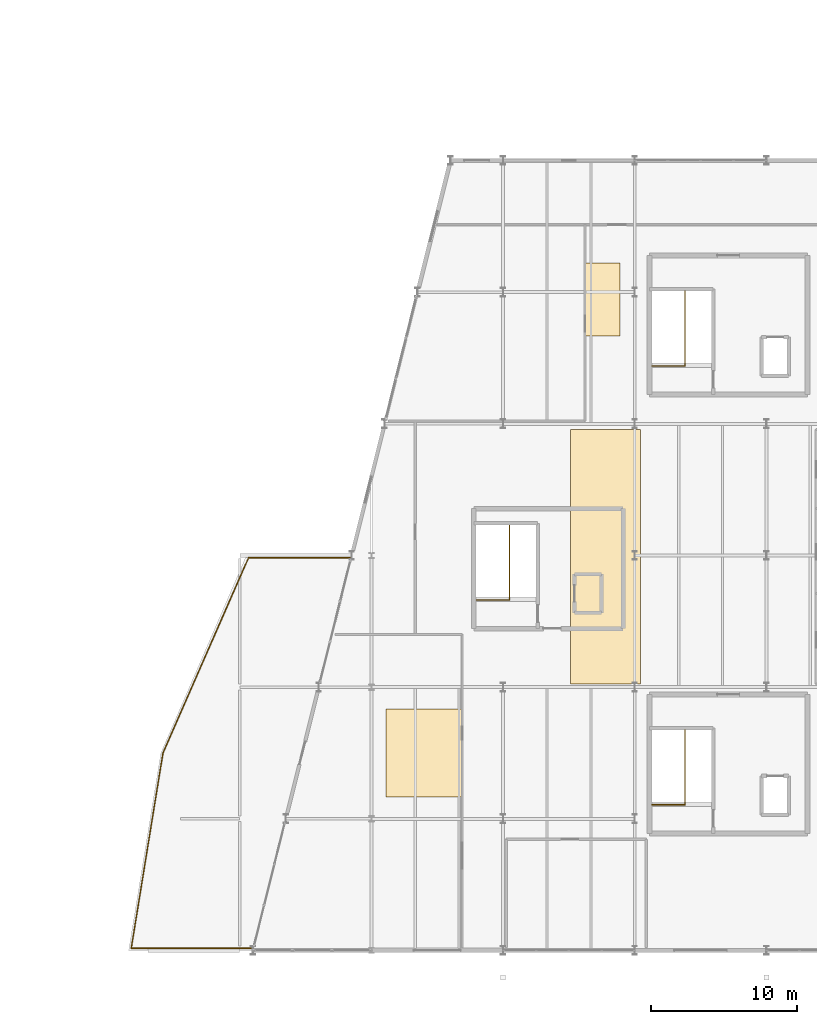
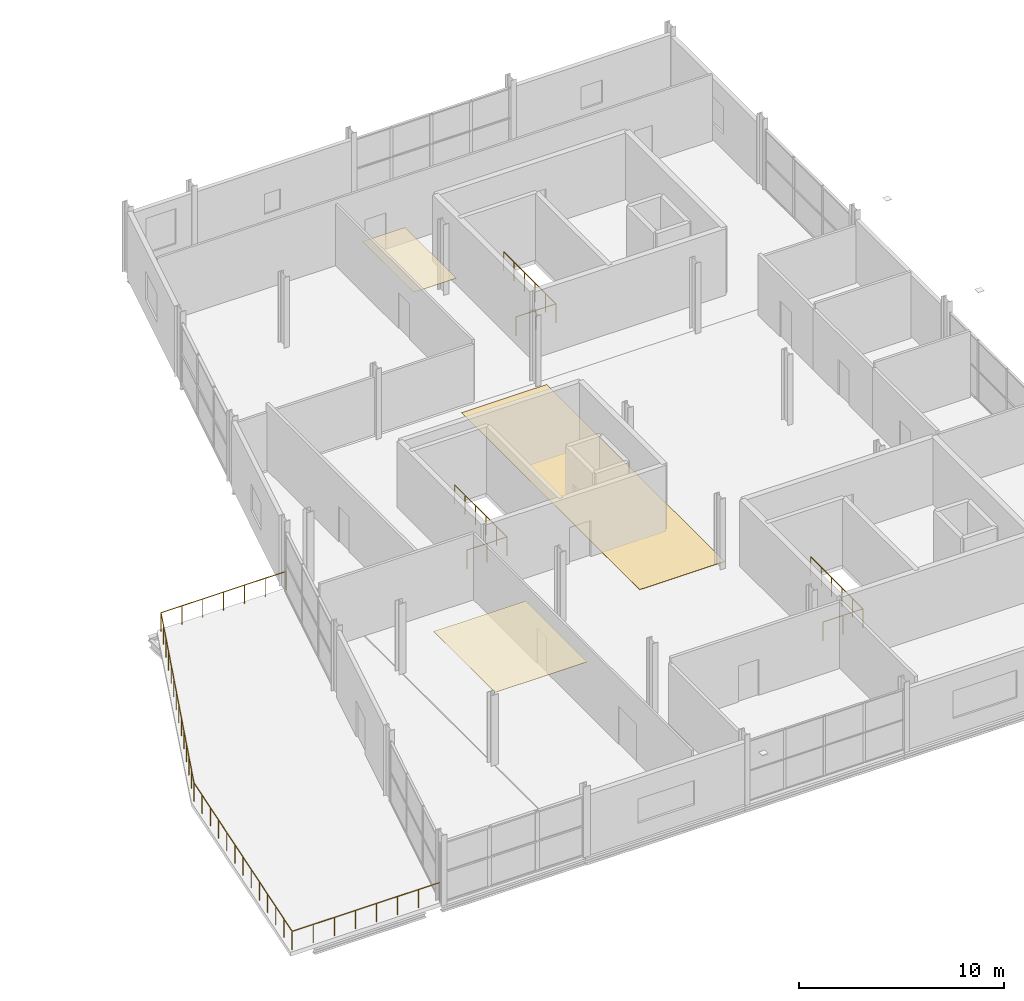
# One storey, part 44 of 44: 4 railings, 3 coverings.
"""IFC4 building model written with IfcOpenShell, lengths in metres."""

from ifc_helpers import new_model, si_unit, direction, frame, origin, origin_2d, place, context, subcontext, project, spatial, polyline, circle, outline, extrude, material, layer, layer_set, type_object, element, save


model = new_model("IFC4")

# Units and contexts
model_context = context("Model", 3, precision=1e-05, world=origin(), true_north=direction((0.0, 1.0)))
body_context = subcontext(model_context, "Body", "Model", "MODEL_VIEW")
ifc_project = project(units=[si_unit("LENGTHUNIT", "METRE"), si_unit("AREAUNIT", "SQUARE_METRE"), si_unit("VOLUMEUNIT", "CUBIC_METRE"), si_unit("PLANEANGLEUNIT", "RADIAN"), si_unit("MASSUNIT", "GRAM", prefix="KILO")], contexts=[model_context])

# Site, building, storey
site_placement = place(None, origin())
site = spatial("IfcSite", under=ifc_project, at=site_placement, CompositionType="ELEMENT")
building_placement = place(site_placement, origin())
building = spatial("IfcBuilding", under=site, at=building_placement, Name="Deido Ridge Mobility Hub", CompositionType="ELEMENT")
storey_placement = place(building_placement, frame((0.0, 0.0, 25.199951171875)))
storey = spatial("IfcBuildingStorey", under=building, at=storey_placement, Name="L06", CompositionType="ELEMENT", Elevation=25.199951171875)

# Coverings
ifc_material_1 = material(Name="Powder-coated aluminium cladding EN AW-3003", Category="aluminium")
ifc_layer_1 = layer(ifc_material_1, 0.02001953125, Name="Powder-coated aluminium cladding EN AW-3003")
ifc_layer_set_1 = layer_set([ifc_layer_1], Name="Powder-coated aluminium cladding EN AW-3003")
covering_type_1 = type_object("IfcCoveringType", Name="COV-CEIL-ALU-20", PredefinedType="CEILING", material=ifc_layer_set_1)
covering_1_placement = place(storey_placement, frame((0.0, 0.0, 2.949951171875)))
element("IfcCovering", 1, at=covering_1_placement, inside=storey, type_object=covering_type_1, Name="Acoustic suspended ceiling CL1 (L06)", PredefinedType="CEILING", context=body_context, shape_type="SweptSolid", body=[
    extrude(outline(polyline([(145.0, 10.5), (150.199951171875, 10.5), (150.199951171875, 16.5), (145.0, 16.5), (145.0, 10.5)])), origin(), (0.0, 0.0, 1.0), 0.02001953125),
])
covering_2_placement = place(storey_placement, frame((0.0, 0.0, 2.949951171875)))
element("IfcCovering", 2, at=covering_2_placement, inside=storey, type_object=covering_type_1, Name="Corridor acoustic ceiling CL1 (L06)", PredefinedType="CEILING", context=body_context, shape_type="SweptSolid", body=[
    extrude(outline(polyline([(158.60009765625, 42.0), (161.0, 42.0), (161.0, 47.0), (158.60009765625, 47.0), (158.60009765625, 42.0)])), origin(), (0.0, 0.0, 1.0), 0.02001953125),
])
ifc_material_2 = material(Name="Epoxy terrazzo floor finish")
ifc_layer_2 = layer(ifc_material_2, 0.02001953125, Name="Epoxy terrazzo floor finish")
ifc_layer_set_2 = layer_set([ifc_layer_2], Name="Epoxy terrazzo floor finish")
covering_type_2 = type_object("IfcCoveringType", Name="COV-FLR-TER-20", PredefinedType="FLOORING", material=ifc_layer_set_2)
covering_3_placement = place(storey_placement, origin())
element("IfcCovering", 3, at=covering_3_placement, inside=storey, type_object=covering_type_2, Name="Epoxy terrazzo corridor flooring FC1 (L06)", PredefinedType="FLOORING", context=body_context, shape_type="SweptSolid", body=[
    extrude(outline(polyline([(157.60009765625, 18.199951171875), (162.39990234375, 18.199951171875), (162.39990234375, 35.60009765625), (157.60009765625, 35.60009765625), (157.60009765625, 18.199951171875)])), origin(), (0.0, 0.0, 1.0), 0.02001953125),
])

# Railings
ifc_material_3 = material(Name="Stainless steel 316", Category="steel")
railing_type_1 = type_object("IfcRailingType", Name="RL-BAL-GLZ-1120", PredefinedType="BALUSTRADE", material=ifc_material_3)
railing_placement = place(storey_placement, frame((135.89990234375, 0.14990234375, 0.0)))
element("IfcRailing", 4, at=railing_placement, inside=storey, type_object=railing_type_1, Name="L06 angular prow terrace balustrade BL1", PredefinedType="BALUSTRADE", context=body_context, shape_type="SweptSolid", body=[
    extrude(circle(Radius=0.02392578125, at=origin_2d()), frame((0.0, 0.0, 1.09619140625), z_axis=(-1.0, 0.0, 0.0), x_axis=(0.0, -1.0, 0.0)), (0.0, 0.0, 1.0), 8.31982421875),
    extrude(circle(Radius=0.02392578125, at=origin_2d()), frame((-8.31982421875, 0.0, 1.09619140625), z_axis=(0.160434319411, 0.987046518233, 0.0), x_axis=(-0.987046518233, 0.160434319411, 0.0)), (0.0, 0.0, 1.0), 13.525390625),
    extrude(circle(Radius=0.02392578125, at=origin_2d()), frame((-6.14990234375, 13.35009765625, 1.09619140625), z_axis=(0.401361790808, 0.915919599572, 0.0), x_axis=(-0.915919599572, 0.401361790808, 0.0)), (0.0, 0.0, 1.0), 14.57568359375),
    extrude(circle(Radius=0.02392578125, at=origin_2d()), frame((-0.2998046875, 26.7001953125, 1.09619140625), z_axis=(1.0, 0.0, 0.0), x_axis=(0.0, 1.0, 0.0)), (0.0, 0.0, 1.0), 7.0498046875),
    extrude(circle(Radius=0.02099609375, at=origin_2d()), origin(), (0.0, 0.0, 1.0), 1.072021484375),
    extrude(circle(Radius=0.02099609375, at=origin_2d()), frame((-1.1884765625, 0.0, 0.0)), (0.0, 0.0, 1.0), 1.072021484375),
    extrude(circle(Radius=0.02099609375, at=origin_2d()), frame((-2.377197265625, 0.0, 0.0)), (0.0, 0.0, 1.0), 1.072021484375),
    extrude(circle(Radius=0.02099609375, at=origin_2d()), frame((-3.565673828125, 0.0, 0.0)), (0.0, 0.0, 1.0), 1.072021484375),
    extrude(circle(Radius=0.02099609375, at=origin_2d()), frame((-4.754150390625, 0.0, 0.0)), (0.0, 0.0, 1.0), 1.072021484375),
    extrude(circle(Radius=0.02099609375, at=origin_2d()), frame((-5.942626953125, 0.0, 0.0)), (0.0, 0.0, 1.0), 1.072021484375),
    extrude(circle(Radius=0.02099609375, at=origin_2d()), frame((-7.13134765625, 0.0, 0.0)), (0.0, 0.0, 1.0), 1.072021484375),
    extrude(circle(Radius=0.02099609375, at=origin_2d()), frame((-8.31982421875, 0.0, 0.0)), (0.0, 0.0, 1.0), 1.072021484375),
    extrude(circle(Radius=0.02099609375, at=origin_2d()), frame((-8.138916015625, 1.112548828125, 0.0)), (0.0, 0.0, 1.0), 1.072021484375),
    extrude(circle(Radius=0.02099609375, at=origin_2d()), frame((-7.958251953125, 2.22509765625, 0.0)), (0.0, 0.0, 1.0), 1.072021484375),
    extrude(circle(Radius=0.02099609375, at=origin_2d()), frame((-7.77734375, 3.33740234375, 0.0)), (0.0, 0.0, 1.0), 1.072021484375),
    extrude(circle(Radius=0.02099609375, at=origin_2d()), frame((-7.596435546875, 4.449951171875, 0.0)), (0.0, 0.0, 1.0), 1.072021484375),
    extrude(circle(Radius=0.02099609375, at=origin_2d()), frame((-7.415771484375, 5.5625, 0.0)), (0.0, 0.0, 1.0), 1.072021484375),
    extrude(circle(Radius=0.02099609375, at=origin_2d()), frame((-7.23486328125, 6.675048828125, 0.0)), (0.0, 0.0, 1.0), 1.072021484375),
    extrude(circle(Radius=0.02099609375, at=origin_2d()), frame((-7.053955078125, 7.78759765625, 0.0)), (0.0, 0.0, 1.0), 1.072021484375),
    extrude(circle(Radius=0.02099609375, at=origin_2d()), frame((-6.873291015625, 8.900146484375, 0.0)), (0.0, 0.0, 1.0), 1.072021484375),
    extrude(circle(Radius=0.02099609375, at=origin_2d()), frame((-6.6923828125, 10.0126953125, 0.0)), (0.0, 0.0, 1.0), 1.072021484375),
    extrude(circle(Radius=0.02099609375, at=origin_2d()), frame((-6.511474609375, 11.125, 0.0)), (0.0, 0.0, 1.0), 1.072021484375),
    extrude(circle(Radius=0.02099609375, at=origin_2d()), frame((-6.330810546875, 12.237548828125, 0.0)), (0.0, 0.0, 1.0), 1.072021484375),
    extrude(circle(Radius=0.02099609375, at=origin_2d()), frame((-6.14990234375, 13.35009765625, 0.0)), (0.0, 0.0, 1.0), 1.072021484375),
    extrude(circle(Radius=0.02099609375, at=origin_2d()), frame((-5.699951171875, 14.376953125, 0.0)), (0.0, 0.0, 1.0), 1.072021484375),
    extrude(circle(Radius=0.02099609375, at=origin_2d()), frame((-5.25, 15.404052734375, 0.0)), (0.0, 0.0, 1.0), 1.072021484375),
    extrude(circle(Radius=0.02099609375, at=origin_2d()), frame((-4.7998046875, 16.430908203125, 0.0)), (0.0, 0.0, 1.0), 1.072021484375),
    extrude(circle(Radius=0.02099609375, at=origin_2d()), frame((-4.349853515625, 17.457763671875, 0.0)), (0.0, 0.0, 1.0), 1.072021484375),
    extrude(circle(Radius=0.02099609375, at=origin_2d()), frame((-3.89990234375, 18.48486328125, 0.0)), (0.0, 0.0, 1.0), 1.072021484375),
    extrude(circle(Radius=0.02099609375, at=origin_2d()), frame((-3.449951171875, 19.51171875, 0.0)), (0.0, 0.0, 1.0), 1.072021484375),
    extrude(circle(Radius=0.02099609375, at=origin_2d()), frame((-2.999755859375, 20.53857421875, 0.0)), (0.0, 0.0, 1.0), 1.072021484375),
    extrude(circle(Radius=0.02099609375, at=origin_2d()), frame((-2.5498046875, 21.5654296875, 0.0)), (0.0, 0.0, 1.0), 1.072021484375),
    extrude(circle(Radius=0.02099609375, at=origin_2d()), frame((-2.099853515625, 22.592529296875, 0.0)), (0.0, 0.0, 1.0), 1.072021484375),
    extrude(circle(Radius=0.02099609375, at=origin_2d()), frame((-1.64990234375, 23.619384765625, 0.0)), (0.0, 0.0, 1.0), 1.072021484375),
    extrude(circle(Radius=0.02099609375, at=origin_2d()), frame((-1.19970703125, 24.646240234375, 0.0)), (0.0, 0.0, 1.0), 1.072021484375),
    extrude(circle(Radius=0.02099609375, at=origin_2d()), frame((-0.749755859375, 25.67333984375, 0.0)), (0.0, 0.0, 1.0), 1.072021484375),
    extrude(circle(Radius=0.02099609375, at=origin_2d()), frame((-0.2998046875, 26.7001953125, 0.0)), (0.0, 0.0, 1.0), 1.072021484375),
    extrude(circle(Radius=0.02099609375, at=origin_2d()), frame((0.875244140625, 26.7001953125, 0.0)), (0.0, 0.0, 1.0), 1.072021484375),
    extrude(circle(Radius=0.02099609375, at=origin_2d()), frame((2.050048828125, 26.7001953125, 0.0)), (0.0, 0.0, 1.0), 1.072021484375),
    extrude(circle(Radius=0.02099609375, at=origin_2d()), frame((3.22509765625, 26.7001953125, 0.0)), (0.0, 0.0, 1.0), 1.072021484375),
    extrude(circle(Radius=0.02099609375, at=origin_2d()), frame((4.400146484375, 26.7001953125, 0.0)), (0.0, 0.0, 1.0), 1.072021484375),
    extrude(circle(Radius=0.02099609375, at=origin_2d()), frame((5.574951171875, 26.7001953125, 0.0)), (0.0, 0.0, 1.0), 1.072021484375),
    extrude(circle(Radius=0.02099609375, at=origin_2d()), frame((6.75, 26.7001953125, 0.0)), (0.0, 0.0, 1.0), 1.072021484375),
])
ifc_material_4 = material(Name="Galvanised steel work", Category="steel")
railing_type_2 = type_object("IfcRailingType", Name="RL-STAIR-GRD-1150", PredefinedType="GUARDRAIL", material=ifc_material_4)
for number, where, name in (
    (5, (163.179931640625, 9.9599609375, 0.0), "ST1 top landing well guard (L06)"),
    (6, (163.179931640625, 39.9599609375, 0.0), "ST2 top landing well guard (L06)"),
    (7, (151.179931640625, 23.9599609375, 0.0), "ST3 top landing well guard (L06)"),
):
    element("IfcRailing", number, at=place(storey_placement, frame(where)), inside=storey, type_object=railing_type_2, Name=name, PredefinedType="GUARDRAIL", context=body_context, shape_type="SweptSolid", body=[
        extrude(circle(Radius=0.02392578125, at=origin_2d()), frame((0.0, 0.0, 1.1259765625), z_axis=(1.0, 0.0, 0.0), x_axis=(0.0, 1.0, 0.0)), (0.0, 0.0, 1.0), 2.260009765625),
        extrude(circle(Radius=0.02392578125, at=origin_2d()), frame((2.260009765625, 0.0, 1.1259765625), z_axis=(0.0, 1.0, 0.0), x_axis=(-1.0, 0.0, 0.0)), (0.0, 0.0, 1.0), 5.10009765625),
        extrude(circle(Radius=0.02099609375, at=origin_2d()), origin(), (0.0, 0.0, 1.0), 1.101806640625),
        extrude(circle(Radius=0.02099609375, at=origin_2d()), frame((1.1298828125, 0.0, 0.0)), (0.0, 0.0, 1.0), 1.101806640625),
        extrude(circle(Radius=0.02099609375, at=origin_2d()), frame((2.260009765625, 0.0, 0.0)), (0.0, 0.0, 1.0), 1.101806640625),
        extrude(circle(Radius=0.02099609375, at=origin_2d()), frame((2.260009765625, 1.02001953125, 0.0)), (0.0, 0.0, 1.0), 1.101806640625),
        extrude(circle(Radius=0.02099609375, at=origin_2d()), frame((2.260009765625, 2.0400390625, 0.0)), (0.0, 0.0, 1.0), 1.101806640625),
        extrude(circle(Radius=0.02099609375, at=origin_2d()), frame((2.260009765625, 3.06005859375, 0.0)), (0.0, 0.0, 1.0), 1.101806640625),
        extrude(circle(Radius=0.02099609375, at=origin_2d()), frame((2.260009765625, 4.080078125, 0.0)), (0.0, 0.0, 1.0), 1.101806640625),
        extrude(circle(Radius=0.02099609375, at=origin_2d()), frame((2.260009765625, 5.10009765625, 0.0)), (0.0, 0.0, 1.0), 1.101806640625),
    ])

save(model, "model.ifc")
